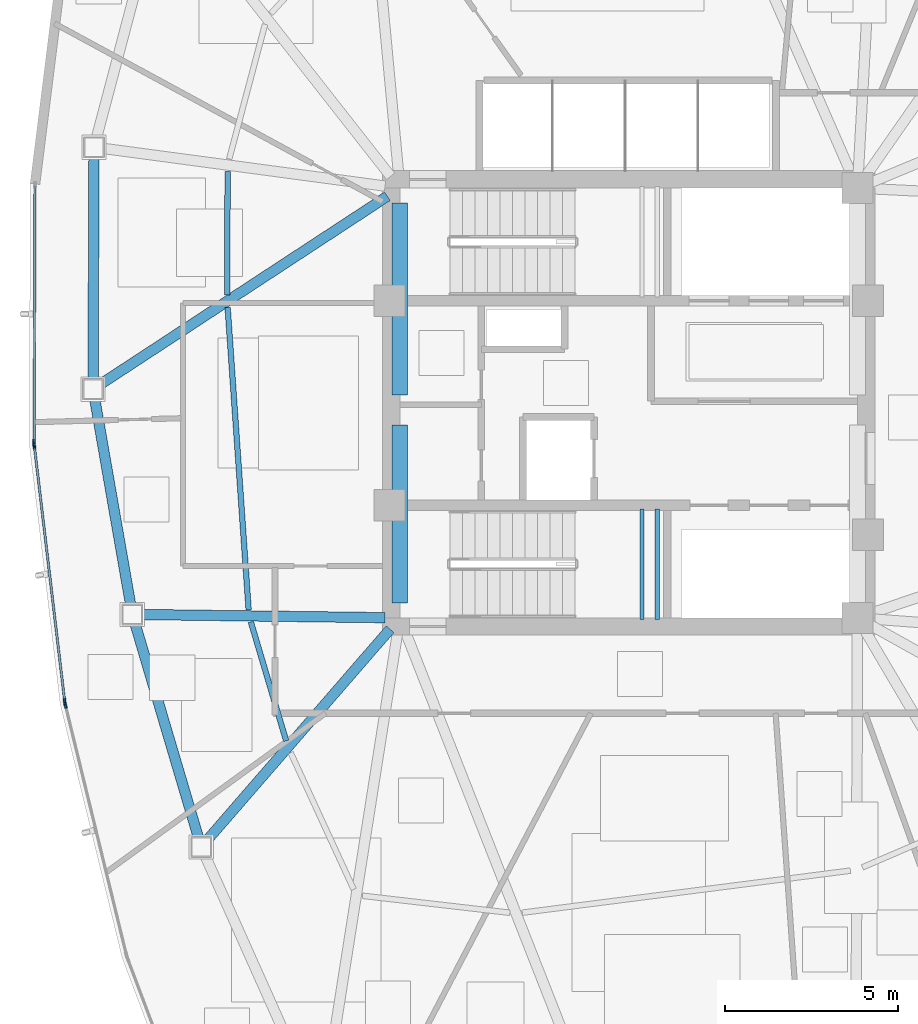
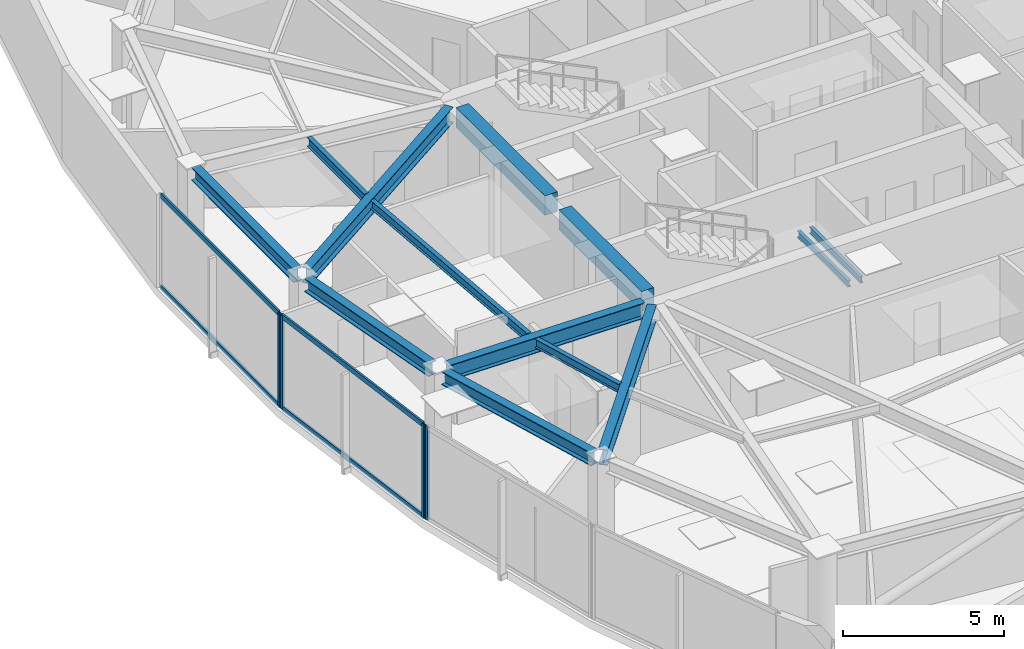
# One storey, part 4 of 18: 13 beams, 8 members, 3 elements without a shape of their own.
"""IFC4 building model written with IfcOpenShell, lengths in metres."""

from ifc_helpers import new_model, si_unit, direction, frame, origin, origin_2d, place, context, subcontext, project, spatial, rectangle, hollow_rectangle, i_section, extrude, source, transform, mapped, material, layer, layer_set, material_profile, profile_set, type_object, type_shapes, element, aggregate, save


model = new_model("IFC4")

# Units and contexts
model_context = context("Model", 3, precision=1e-05, world=origin(), true_north=direction((0.0, 1.0)))
body_context = subcontext(model_context, "Body", "Model", "MODEL_VIEW")
ifc_project = project(units=[si_unit("LENGTHUNIT", "METRE"), si_unit("AREAUNIT", "SQUARE_METRE"), si_unit("VOLUMEUNIT", "CUBIC_METRE"), si_unit("PLANEANGLEUNIT", "RADIAN"), si_unit("MASSUNIT", "GRAM", prefix="KILO")], contexts=[model_context])

# Site, building, storey
site_placement = place(None, origin())
site = spatial("IfcSite", under=ifc_project, at=site_placement, CompositionType="ELEMENT")
building_placement = place(site_placement, origin())
building = spatial("IfcBuilding", under=site, at=building_placement, Name="Tavelor Broadcast Tower", CompositionType="ELEMENT")
storey_placement = place(building_placement, frame((0.0, 0.0, 173.35009765625)))
storey = spatial("IfcBuildingStorey", under=building, at=storey_placement, Name="L41", CompositionType="ELEMENT", Elevation=173.35009765625)

# Beams
ifc_material_1 = material(Name="Concrete C40/50", Category="concrete")
ifc_material_profile_1 = material_profile(ifc_material_1, rectangle(XDim=0.449951171875, YDim=0.75, at=origin_2d()), Name="RC 450x750")
ifc_profile_set_1 = profile_set([ifc_material_profile_1], Name="Concrete C40/50")
beam_type_1 = type_object("IfcBeamType", Name="Basement Core Trim Beam 450x750", PredefinedType="BEAM", material=ifc_profile_set_1)
beam_1_placement = place(storey_placement, frame((43.39990234375, 45.23193359375, 3.1748046875), z_axis=(0.0, 1.0, 0.0), x_axis=(-1.0, 0.0, 0.0)))
element("IfcBeam", 1, at=beam_1_placement, inside=storey, type_object=beam_type_1, Name="L41 Core West-N Tie Girder", PredefinedType="BEAM", context=body_context, shape_type="SweptSolid", body=[
    extrude(rectangle(XDim=0.449951171875, YDim=0.75, at=origin_2d()), origin(), (0.0, 0.0, 1.0), 5.5361328125),
])
beam_2_placement = place(storey_placement, frame((43.39990234375, 39.23193359375, 3.1748046875), z_axis=(0.0, 1.0, 0.0), x_axis=(-1.0, 0.0, 0.0)))
element("IfcBeam", 2, at=beam_2_placement, inside=storey, type_object=beam_type_1, Name="L41 Core West-S Tie Girder", PredefinedType="BEAM", context=body_context, shape_type="SweptSolid", body=[
    extrude(rectangle(XDim=0.449951171875, YDim=0.75, at=origin_2d()), origin(), (0.0, 0.0, 1.0), 5.135986328125),
])
ifc_material_2 = material(Name="Steel S355", Category="steel")
ifc_material_profile_2 = material_profile(ifc_material_2, i_section(OverallWidth=0.159912109375, OverallDepth=0.330078125, WebThickness=0.007568359375, FlangeThickness=0.011474609375, at=origin_2d()), Name="IPE 330")
ifc_profile_set_2 = profile_set([ifc_material_profile_2], Name="Steel S355")
beam_type_2 = type_object("IfcBeamType", Name="Composite Floor Joist T4 IPE 330", PredefinedType="JOIST", material=ifc_profile_set_2)
beam_3_placement = place(storey_placement, frame((38.428955078125, 51.68310546875, 3.385009765625), z_axis=(-0.002943579799, -0.99999566766, 0.0), x_axis=(0.99999566766, -0.002943579799, 0.0)))
element("IfcBeam", 3, at=beam_3_placement, inside=storey, type_object=beam_type_2, Name="L41 Secondary Composite Floor Joist 03", PredefinedType="JOIST", context=body_context, shape_type="SweptSolid", body=[
    extrude(i_section(OverallWidth=0.159912109375, OverallDepth=0.330078125, WebThickness=0.007568359375, FlangeThickness=0.011474609375, at=origin_2d()), origin(), (0.0, 0.0, 1.0), 3.56640625),
])
beam_4_placement = place(storey_placement, frame((38.430419921875, 47.755126953125, 3.385009765625), z_axis=(0.069281460066, -0.997597152808, 0.0), x_axis=(0.997597152808, 0.069281460066, 0.0)))
element("IfcBeam", 4, at=beam_4_placement, inside=storey, type_object=beam_type_2, Name="L41 Secondary Composite Floor Joist 04", PredefinedType="JOIST", context=body_context, shape_type="SweptSolid", body=[
    extrude(i_section(OverallWidth=0.159912109375, OverallDepth=0.330078125, WebThickness=0.007568359375, FlangeThickness=0.011474609375, at=origin_2d()), origin(), (0.0, 0.0, 1.0), 8.7392578125),
])
beam_5_placement = place(storey_placement, frame((39.10009765625, 38.682861328125, 3.385009765625), z_axis=(0.284738295298, -0.958605290613, 0.0), x_axis=(0.958605290613, 0.284738295298, 0.0)))
element("IfcBeam", 5, at=beam_5_placement, inside=storey, type_object=beam_type_2, Name="L41 Secondary Composite Floor Joist 05", PredefinedType="JOIST", context=body_context, shape_type="SweptSolid", body=[
    extrude(i_section(OverallWidth=0.159912109375, OverallDepth=0.330078125, WebThickness=0.007568359375, FlangeThickness=0.011474609375, at=origin_2d()), origin(), (0.0, 0.0, 1.0), 3.58056640625),
])
ifc_material_profile_3 = material_profile(ifc_material_2, i_section(OverallWidth=0.300048828125, OverallDepth=0.5, WebThickness=0.014404296875, FlangeThickness=0.028076171875, at=origin_2d()), Name="HEB 500")
ifc_profile_set_3 = profile_set([ifc_material_profile_3], Name="Steel S355")
beam_type_3 = type_object("IfcBeamType", Name="Perimeter Spandrel Beam T4 HEB 500", PredefinedType="SPANDREL", material=ifc_profile_set_3)
beam_6_placement = place(storey_placement, frame((34.573974609375, 52.09130859375, 3.2998046875), z_axis=(-0.004117073981, -0.999991524815, 0.0), x_axis=(0.999991524815, -0.004117073981, 0.0)))
element("IfcBeam", 6, at=beam_6_placement, inside=storey, type_object=beam_type_3, Name="L41 Framed-Tube Ring Spandrel 03", PredefinedType="SPANDREL", context=body_context, shape_type="SweptSolid", body=[
    extrude(i_section(OverallWidth=0.300048828125, OverallDepth=0.5, WebThickness=0.014404296875, FlangeThickness=0.028076171875, at=origin_2d()), origin(), (0.0, 0.0, 1.0), 6.404296875),
])
beam_7_placement = place(storey_placement, frame((34.595947265625, 45.115478515625, 3.2998046875), z_axis=(0.171987908601, -0.985099060651, 0.0), x_axis=(0.985099060651, 0.171987908601, 0.0)))
element("IfcBeam", 7, at=beam_7_placement, inside=storey, type_object=beam_type_3, Name="L41 Framed-Tube Ring Spandrel 04", PredefinedType="SPANDREL", context=body_context, shape_type="SweptSolid", body=[
    extrude(i_section(OverallWidth=0.300048828125, OverallDepth=0.5, WebThickness=0.014404296875, FlangeThickness=0.028076171875, at=origin_2d()), origin(), (0.0, 0.0, 1.0), 6.021728515625),
])
beam_8_placement = place(storey_placement, frame((35.7626953125, 38.623779296875, 3.2998046875), z_axis=(0.283962764381, -0.958835308301, 0.0), x_axis=(0.958835308301, 0.283962764381, 0.0)))
element("IfcBeam", 8, at=beam_8_placement, inside=storey, type_object=beam_type_3, Name="L41 Framed-Tube Ring Spandrel 05", PredefinedType="SPANDREL", context=body_context, shape_type="SweptSolid", body=[
    extrude(i_section(OverallWidth=0.300048828125, OverallDepth=0.5, WebThickness=0.014404296875, FlangeThickness=0.028076171875, at=origin_2d()), origin(), (0.0, 0.0, 1.0), 6.421630859375),
])
ifc_material_profile_4 = material_profile(ifc_material_2, i_section(OverallWidth=0.300048828125, OverallDepth=0.590087890625, WebThickness=0.012939453125, FlangeThickness=0.02490234375, at=origin_2d()), Name="HEA 600")
ifc_profile_set_4 = profile_set([ifc_material_profile_4], Name="Steel S355")
beam_type_4 = type_object("IfcBeamType", Name="Radial Floor Girder T4 HEA 600", PredefinedType="BEAM", material=ifc_profile_set_4)
beam_9_placement = place(storey_placement, frame((43.038818359375, 50.963134765625, 3.2548828125), z_axis=(-0.83645565271, -0.548034616652, 0.0), x_axis=(0.548034616652, -0.83645565271, 0.0)))
element("IfcBeam", 9, at=beam_9_placement, inside=storey, type_object=beam_type_4, Name="L41 Radial Primary Floor Girder 04", PredefinedType="BEAM", context=body_context, shape_type="SweptSolid", body=[
    extrude(i_section(OverallWidth=0.300048828125, OverallDepth=0.590087890625, WebThickness=0.012939453125, FlangeThickness=0.02490234375, at=origin_2d()), origin(), (0.0, 0.0, 1.0), 9.86474609375),
])
beam_10_placement = place(storey_placement, frame((42.968017578125, 38.8056640625, 3.2548828125), z_axis=(-0.99991627243, 0.012940175006, 0.0), x_axis=(-0.012940175006, -0.99991627243, 0.0)))
element("IfcBeam", 10, at=beam_10_placement, inside=storey, type_object=beam_type_4, Name="L41 Radial Primary Floor Girder 05", PredefinedType="BEAM", context=body_context, shape_type="SweptSolid", body=[
    extrude(i_section(OverallWidth=0.300048828125, OverallDepth=0.590087890625, WebThickness=0.012939453125, FlangeThickness=0.02490234375, at=origin_2d()), origin(), (0.0, 0.0, 1.0), 6.99951171875),
])
beam_11_placement = place(storey_placement, frame((43.116943359375, 38.4736328125, 3.2548828125), z_axis=(-0.655167826376, -0.755483367972, 0.0), x_axis=(0.755483367972, -0.655167826376, 0.0)))
element("IfcBeam", 11, at=beam_11_placement, inside=storey, type_object=beam_type_4, Name="L41 Radial Primary Floor Girder 06", PredefinedType="BEAM", context=body_context, shape_type="SweptSolid", body=[
    extrude(i_section(OverallWidth=0.300048828125, OverallDepth=0.590087890625, WebThickness=0.012939453125, FlangeThickness=0.02490234375, at=origin_2d()), origin(), (0.0, 0.0, 1.0), 8.02880859375),
])
ifc_material_profile_5 = material_profile(ifc_material_2, i_section(OverallWidth=0.1201171875, OverallDepth=0.239990234375, WebThickness=0.006103515625, FlangeThickness=0.009765625, at=origin_2d()), Name="IPE 240")
ifc_profile_set_5 = profile_set([ifc_material_profile_5], Name="Steel S355")
beam_type_5 = type_object("IfcBeamType", Name="Stairwell Landing Support Trimmer Beam IPE240", PredefinedType="BEAM", material=ifc_profile_set_5)
for number, where, z_axis, x_axis, name in (
    (12, (50.385009765625, 38.760009765625, 1.60986328125), (0.0, 1.0, 0.0), (-1.0, 0.0, 0.0), "L41 Stair Landing Support Beam 329"),
    (13, (50.824951171875, 38.760009765625, 1.60986328125), (0.0, 1.0, 0.0), (-1.0, 0.0, 0.0), "L41 Stair Landing Support Beam 330"),
):
    element("IfcBeam", number, at=place(storey_placement, frame(where, z_axis=z_axis, x_axis=x_axis)), inside=storey, type_object=beam_type_5, Name=name, PredefinedType="BEAM", context=body_context, shape_type="SweptSolid", body=[
        extrude(i_section(OverallWidth=0.1201171875, OverallDepth=0.239990234375, WebThickness=0.006103515625, FlangeThickness=0.009765625, at=origin_2d()), origin(), (0.0, 0.0, 1.0), 3.179931640625),
    ])

# Curtain wall, member
ifc_material_3 = material(Name="Architectural Anodized Aluminium", Category="aluminium")
ifc_layer = layer(ifc_material_3, 0.18994140625)
ifc_layer_set = layer_set([ifc_layer], Name="Architectural Anodized Aluminium")
curtain_wall_type = type_object("IfcCurtainWallType", Name="Tower Mid-Zone Acoustic Curtain Wall CW03", PredefinedType="NOTDEFINED", material=ifc_layer_set)
curtain_wall_1_placement = place(storey_placement, origin())
curtain_wall_1 = element("IfcCurtainWall", 14, at=curtain_wall_1_placement, inside=storey, type_object=curtain_wall_type, Name="L41 Curtain Wall CW03 Run 433", PredefinedType="NOTDEFINED")
ifc_material_profile_6 = material_profile(ifc_material_3, hollow_rectangle(XDim=0.068115234375, YDim=0.18994140625, WallThickness=0.02197265625, at=origin_2d()), Name="RHS 68x190x22")
ifc_profile_set_6 = profile_set([ifc_material_profile_6], Name="Architectural Anodized Aluminium")
member_type_1 = type_object("IfcMemberType", Name="CW03 Extruded Aluminium Mullion 68x190", PredefinedType="MULLION", material=ifc_profile_set_6)
shared_shape_1 = source(origin(), body_context, "Body", "SweptSolid", [
    extrude(hollow_rectangle(XDim=0.068115234375, YDim=0.18994140625, WallThickness=0.02197265625, at=origin_2d()), origin(), (0.0, 0.0, 1.0), 3.5498046875),
])
type_shapes(member_type_1, [shared_shape_1])
member_1_placement = place(storey_placement, frame((32.848876953125, 43.8525390625, 0.0), z_axis=(0.0, 0.0, 1.0), x_axis=(0.999995305826, -0.003064037627, 0.0)))
member_1 = element("IfcMember", 15, at=member_1_placement, type_object=member_type_1, Name="CW03 mullion 2", PredefinedType="MULLION", context=body_context, shape_type="MappedRepresentation", body=[
    mapped(shared_shape_1, transform((0.0, 0.0, 0.0), scale=1.0)),
])

# Curtain wall, members
curtain_wall_2_placement = place(storey_placement, origin())
curtain_wall_2 = element("IfcCurtainWall", 16, at=curtain_wall_2_placement, inside=storey, type_object=curtain_wall_type, Name="L41 Curtain Wall CW03 Run 434", PredefinedType="NOTDEFINED")
member_2_placement = place(storey_placement, frame((32.8544921875, 43.7548828125, 0.0), z_axis=(0.0, 0.0, 1.0), x_axis=(0.993016376283, 0.117976592737, 0.0)))
member_2 = element("IfcMember", 17, at=member_2_placement, type_object=member_type_1, Name="CW03 mullion 1", PredefinedType="MULLION", context=body_context, shape_type="MappedRepresentation", body=[
    mapped(shared_shape_1, transform((0.0, 0.0, 0.0), scale=1.0)),
])
member_3_placement = place(storey_placement, frame((33.730224609375, 36.38330078125, 0.0), z_axis=(0.0, 0.0, 1.0), x_axis=(0.993016376283, 0.117976592737, 0.0)))
member_3 = element("IfcMember", 18, at=member_3_placement, type_object=member_type_1, Name="CW03 mullion 2", PredefinedType="MULLION", context=body_context, shape_type="MappedRepresentation", body=[
    mapped(shared_shape_1, transform((0.0, 0.0, 0.0), scale=1.0)),
])

# Curtain wall, member
curtain_wall_3_placement = place(storey_placement, origin())
curtain_wall_3 = element("IfcCurtainWall", 19, at=curtain_wall_3_placement, inside=storey, type_object=curtain_wall_type, Name="L41 Curtain Wall CW03 Run 435", PredefinedType="NOTDEFINED")
member_4_placement = place(storey_placement, frame((33.747802734375, 36.287109375, 0.0), z_axis=(0.0, 0.0, 1.0), x_axis=(0.971443464016, 0.237271144939, 0.0)))
member_4 = element("IfcMember", 20, at=member_4_placement, type_object=member_type_1, Name="CW03 mullion 1", PredefinedType="MULLION", context=body_context, shape_type="MappedRepresentation", body=[
    mapped(shared_shape_1, transform((0.0, 0.0, 0.0), scale=1.0)),
])
aggregate(curtain_wall_3, [member_4])

# Member
ifc_material_profile_7 = material_profile(ifc_material_3, hollow_rectangle(XDim=0.068115234375, YDim=0.18994140625, WallThickness=0.02197265625, at=origin_2d()), Name="RHS 68x190x22")
ifc_profile_set_7 = profile_set([ifc_material_profile_7], Name="Architectural Anodized Aluminium")
member_type_2 = type_object("IfcMemberType", Name="CW03 Extruded Aluminium Transom 68x190", PredefinedType="USERDEFINED", material=ifc_profile_set_7)
shared_shape_2 = source(origin(), body_context, "Body", "SweptSolid", [
    extrude(hollow_rectangle(XDim=0.068115234375, YDim=0.18994140625, WallThickness=0.02197265625, at=origin_2d()), origin(), (0.0, 0.0, 1.0), 7.370361328125),
])
member_5_placement = place(storey_placement, frame((32.87158203125, 51.2568359375, 0.033935546875), z_axis=(-0.00304745347, -0.999995356503, 0.0), x_axis=(0.999995356503, -0.00304745347, 0.0)))
member_5 = element("IfcMember", 21, at=member_5_placement, type_object=member_type_2, Name="CW03 transom 1.1", ObjectType="TRANSOM", PredefinedType="USERDEFINED", context=body_context, shape_type="MappedRepresentation", body=[
    mapped(shared_shape_2, transform((0.0, 0.0, 0.0), scale=1.0)),
])

member_6_placement = place(storey_placement, frame((32.87158203125, 51.2568359375, 3.515869140625), z_axis=(-0.00304745347, -0.999995356503, 0.0), x_axis=(0.999995356503, -0.00304745347, 0.0)))
member_6 = element("IfcMember", 22, at=member_6_placement, type_object=member_type_2, Name="CW03 transom 1.2", ObjectType="TRANSOM", PredefinedType="USERDEFINED", context=body_context, shape_type="MappedRepresentation", body=[
    mapped(shared_shape_2, transform((0.0, 0.0, 0.0), scale=1.0)),
])

aggregate(curtain_wall_1, [member_1, member_5, member_6])

shared_shape_3 = source(origin(), body_context, "Body", "SweptSolid", [
    extrude(hollow_rectangle(XDim=0.068115234375, YDim=0.18994140625, WallThickness=0.02197265625, at=origin_2d()), origin(), (0.0, 0.0, 1.0), 7.355224609375),
])
type_shapes(member_type_2, [shared_shape_2, shared_shape_3])
member_7_placement = place(storey_placement, frame((32.858642578125, 43.72119140625, 0.033935546875), z_axis=(0.117965863271, -0.993017650952, 0.0), x_axis=(0.993017650952, 0.117965863271, 0.0)))
member_7 = element("IfcMember", 23, at=member_7_placement, type_object=member_type_2, Name="CW03 transom 1.1", ObjectType="TRANSOM", PredefinedType="USERDEFINED", context=body_context, shape_type="MappedRepresentation", body=[
    mapped(shared_shape_3, transform((0.0, 0.0, 0.0), scale=1.0)),
])

member_8_placement = place(storey_placement, frame((32.858642578125, 43.72119140625, 3.515869140625), z_axis=(0.117965863271, -0.993017650952, 0.0), x_axis=(0.993017650952, 0.117965863271, 0.0)))
member_8 = element("IfcMember", 24, at=member_8_placement, type_object=member_type_2, Name="CW03 transom 1.2", ObjectType="TRANSOM", PredefinedType="USERDEFINED", context=body_context, shape_type="MappedRepresentation", body=[
    mapped(shared_shape_3, transform((0.0, 0.0, 0.0), scale=1.0)),
])

aggregate(curtain_wall_2, [member_2, member_3, member_7, member_8])

save(model, "model.ifc")
